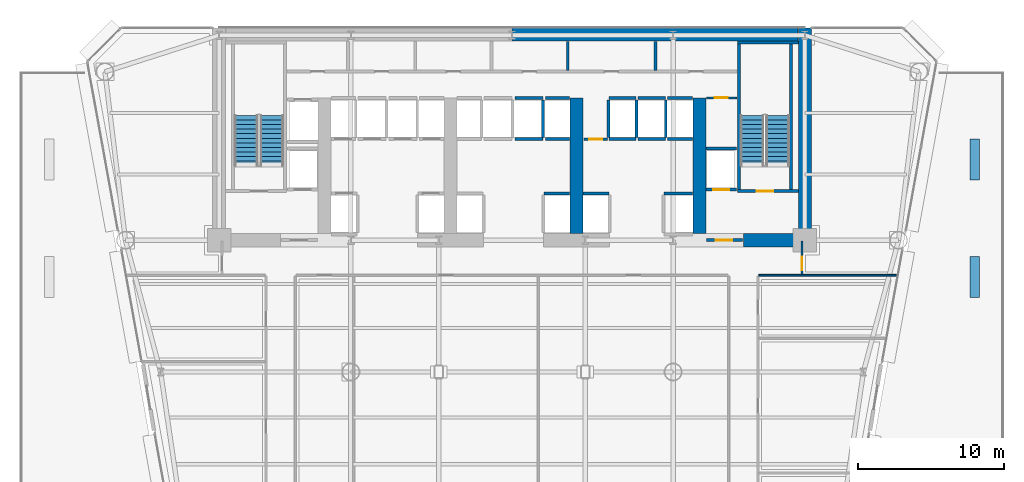
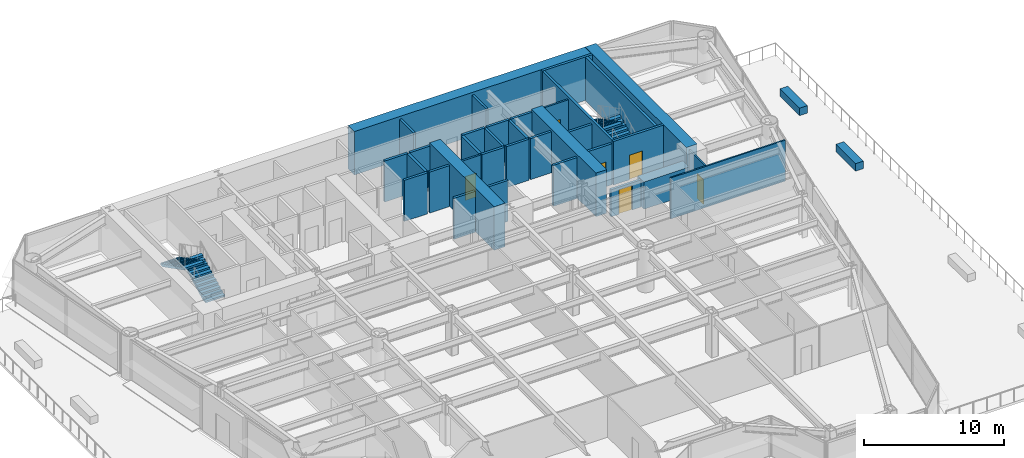
# One storey, part 10 of 14: 37 walls, 6 doors, 4 stair flights, 6 openings, 2 elements without a shape of their own.
"""IFC4 building model written with IfcOpenShell, lengths in metres."""

from ifc_helpers import new_model, si_unit, direction, frame, frame_2d, origin, place, context, subcontext, project, spatial, polyline, rectangle, outline, extrude, source, transform, mapped, material, layer, layer_set, type_object, element, fill, aggregate, save


model = new_model("IFC4")

# Units and contexts
model_context = context("Model", 3, precision=1e-05, world=origin(), true_north=direction((0.0, 1.0)))
body_context = subcontext(model_context, "Body", "Model", "MODEL_VIEW")
ifc_project = project(units=[si_unit("LENGTHUNIT", "METRE"), si_unit("AREAUNIT", "SQUARE_METRE"), si_unit("VOLUMEUNIT", "CUBIC_METRE"), si_unit("PLANEANGLEUNIT", "RADIAN"), si_unit("MASSUNIT", "GRAM", prefix="KILO")], contexts=[model_context])

# Site, building, storey
site_placement = place(None, origin())
site = spatial("IfcSite", under=ifc_project, at=site_placement, CompositionType="ELEMENT")
building_placement = place(site_placement, origin())
building = spatial("IfcBuilding", under=site, at=building_placement, Name="Vaeldorn Concourse Tower", CompositionType="ELEMENT")
storey_placement = place(building_placement, frame((0.0, 0.0, 18.800048828125)))
storey = spatial("IfcBuildingStorey", under=building, at=storey_placement, Name="L04", CompositionType="ELEMENT", Elevation=18.800048828125)

# Walls
ifc_material_1 = material(Name="Concrete C60/75", Category="concrete")
ifc_layer_1 = layer(ifc_material_1, 0.89990234375)
ifc_layer_set_1 = layer_set([ifc_layer_1], Name="Concrete C60/75")
wall_type_1 = type_object("IfcWallType", Name="WL-CORE-900", PredefinedType="SHEAR", material=ifc_layer_set_1)
wall_1_placement = place(storey_placement, frame((34.001953125, 50.550048828125, 0.0), z_axis=(0.0, 0.0, 1.0), x_axis=(1.0, 0.0, 0.0)))
element("IfcWall", 1, at=wall_1_placement, inside=storey, type_object=wall_type_1, Name="Rear Core Shear Wall L04 N2", PredefinedType="SHEAR", context=body_context, shape_type="SweptSolid", body=[
    extrude(rectangle(XDim=19.5439453125, YDim=0.89990234375, at=frame_2d((9.77197265625, 0.0))), origin(), (0.0, 0.0, 1.0), 3.800048828125),
])
wall_2_placement = place(storey_placement, frame((54.0, 36.5, 0.0), z_axis=(0.0, 0.0, 1.0), x_axis=(0.0, 1.0, 0.0)))
element("IfcWall", 2, at=wall_2_placement, inside=storey, type_object=wall_type_1, Name="Rear Core Shear Wall L04 E1", PredefinedType="SHEAR", context=body_context, shape_type="SweptSolid", body=[
    extrude(rectangle(XDim=14.5, YDim=0.89990234375, at=frame_2d((7.25, 0.0))), origin(), (0.0, 0.0, 1.0), 3.800048828125),
])
wall_3_placement = place(storey_placement, frame((49.800048828125, 36.5, 0.0), z_axis=(0.0, 0.0, 1.0), x_axis=(1.0, 0.0, 0.0)))
element("IfcWall", 3, at=wall_3_placement, inside=storey, type_object=wall_type_1, Name="Rear Core Shear Wall L04 S4", PredefinedType="SHEAR", context=body_context, shape_type="SweptSolid", body=[
    extrude(rectangle(XDim=3.72998046875, YDim=0.89990234375, at=frame_2d((1.864990234375, 0.0))), origin(), (0.0, 0.0, 1.0), 2.3798828125),
])
for number, where, z_axis, x_axis, name in (
    (4, (38.39990234375, 36.969970703125, 0.0), (0.0, 0.0, 1.0), (0.0, 1.0, 0.0), "Rear Core Shear Wall L04 M3"),
    (5, (46.800048828125, 36.969970703125, 0.0), (0.0, 0.0, 1.0), (0.0, 1.0, 0.0), "Rear Core Shear Wall L04 M4"),
):
    element("IfcWall", number, at=place(storey_placement, frame(where, z_axis=z_axis, x_axis=x_axis)), inside=storey, type_object=wall_type_1, Name=name, PredefinedType="SHEAR", context=body_context, shape_type="SweptSolid", body=[
        extrude(rectangle(XDim=9.22998046875, YDim=0.89990234375, at=frame_2d((4.614990234375, 0.0))), origin(), (0.0, 0.0, 1.0), 3.800048828125),
    ])
ifc_material_2 = material(Name="Gypsum Board Partition", Category="gypsum")
ifc_layer_2 = layer(ifc_material_2, 0.1201171875)
ifc_layer_set_2 = layer_set([ifc_layer_2], Name="Gypsum Board Partition")
wall_type_2 = type_object("IfcWallType", Name="WL-PART-120", PredefinedType="PARTITIONING", material=ifc_layer_set_2)
wall_4_placement = place(storey_placement, frame((50.860107421875, 34.10009765625, 0.0), z_axis=(0.0, 0.0, 1.0), x_axis=(1.0, 0.0, 0.0)))
element("IfcWall", 6, at=wall_4_placement, inside=storey, type_object=wall_type_2, Name="Interior Wall PW-L04-CEWE", PredefinedType="PARTITIONING", context=body_context, shape_type="SweptSolid", body=[
    extrude(rectangle(XDim=9.4521484375, YDim=0.1201171875, at=frame_2d((4.72607421875, 0.0))), origin(), (0.0, 0.0, 1.0), 3.579833984375),
])

# Wall, opening, door
wall_5_placement = place(storey_placement, frame((53.800048828125, 34.159912109375, 0.0), z_axis=(0.0, 0.0, 1.0), x_axis=(0.0, 1.0, 0.0)))
wall_5 = element("IfcWall", 7, at=wall_5_placement, inside=storey, type_object=wall_type_2, Name="Interior Wall PW-L04-CEET", PredefinedType="PARTITIONING", context=body_context, shape_type="SweptSolid", body=[
    extrude(rectangle(XDim=2.280029296875, YDim=0.1201171875, at=frame_2d((1.14013671875, 0.0))), origin(), (0.0, 0.0, 1.0), 3.579833984375),
])
opening_1_placement = place(wall_5_placement, frame((0.300048828125, 0.0, 0.0)))
opening_1 = element("IfcOpeningElement", 8, at=opening_1_placement, cuts=wall_5, Name="Opening D-03", PredefinedType="OPENING", context=body_context, shape_type="SweptSolid", body=[
    extrude(rectangle(XDim=0.89990234375, YDim=2.14990234375, at=frame_2d((0.449951171875, 1.074951171875))), frame((0.0, 0.070068359375, 0.0), z_axis=(0.0, -1.0, 0.0), x_axis=(1.0, 0.0, 0.0)), (0.0, 0.0, 1.0), 0.14013671875),
])
ifc_material_3 = material(Name="Acoustic Bronze-Framed Glass Door", Category="glass")
door_type_1 = type_object("IfcDoorType", Name="DR-INT-900", OperationType="NOTDEFINED", PredefinedType="DOOR", material=ifc_material_3)
shared_shape_1 = source(origin(), body_context, "Body", "SweptSolid", [
    extrude(rectangle(XDim=0.89990234375, YDim=2.14990234375, at=frame_2d((0.449951171875, 1.074951171875))), frame((0.0, 0.02490234375, 0.0), z_axis=(0.0, -1.0, 0.0), x_axis=(1.0, 0.0, 0.0)), (0.0, 0.0, 1.0), 0.050048828125),
])
door_1_placement = place(opening_1_placement, origin())
door_1 = element("IfcDoor", 9, at=door_1_placement, inside=storey, type_object=door_type_1, Name="Interior Door DR-L04-NE1", OperationType="SINGLE_SWING_RIGHT", OverallHeight=2.14990234375, OverallWidth=0.89990234375, PredefinedType="DOOR", context=body_context, shape_type="MappedRepresentation", body=[
    mapped(shared_shape_1, transform((0.0, 0.0, 0.0), scale=1.0)),
])
fill(opening_1, door_1)

ifc_layer_3 = layer(ifc_material_2, 0.14990234375)
ifc_layer_set_3 = layer_set([ifc_layer_3], Name="Gypsum Board Partition")
wall_type_3 = type_object("IfcWallType", Name="WL-PART-150", PredefinedType="PARTITIONING", material=ifc_layer_set_3)
wall_6_placement = place(storey_placement, frame((47.280029296875, 46.219970703125, 0.0), z_axis=(0.0, 0.0, 1.0), x_axis=(1.0, 0.0, 0.0)))
wall_6 = element("IfcWall", 10, at=wall_6_placement, inside=storey, type_object=wall_type_3, Name="Interior Wall CW-L04-CRSE-N", PredefinedType="PARTITIONING", context=body_context, shape_type="SweptSolid", body=[
    extrude(rectangle(XDim=2.099853515625, YDim=0.14990234375, at=frame_2d((1.0498046875, 0.0))), origin(), (0.0, 0.0, 1.0), 3.579833984375),
])
opening_2_placement = place(wall_6_placement, frame((0.550048828125, 0.0, 0.0)))
opening_2 = element("IfcOpeningElement", 11, at=opening_2_placement, cuts=wall_6, Name="Opening D-02", PredefinedType="OPENING", context=body_context, shape_type="SweptSolid", body=[
    extrude(rectangle(XDim=0.89990234375, YDim=2.10009765625, at=frame_2d((0.449951171875, 1.050048828125))), frame((0.0, 0.0849609375, 0.0), z_axis=(0.0, -1.0, 0.0), x_axis=(1.0, 0.0, 0.0)), (0.0, 0.0, 1.0), 0.169921875),
])
ifc_material_4 = material(Name="Fire-Rated Timber Leaf", Category="wood")
door_type_2 = type_object("IfcDoorType", Name="DR-FD30-900", OperationType="NOTDEFINED", PredefinedType="DOOR", material=ifc_material_4)
shared_shape_2 = source(origin(), body_context, "Body", "SweptSolid", [
    extrude(rectangle(XDim=0.89990234375, YDim=2.10009765625, at=frame_2d((0.449951171875, 1.050048828125))), frame((0.0, 0.02490234375, 0.0), z_axis=(0.0, -1.0, 0.0), x_axis=(1.0, 0.0, 0.0)), (0.0, 0.0, 1.0), 0.050048828125),
])
door_2_placement = place(opening_2_placement, origin())
door_2 = element("IfcDoor", 12, at=door_2_placement, inside=storey, type_object=door_type_2, Name="Interior Door DR-L04-CRSE", OperationType="SINGLE_SWING_RIGHT", OverallHeight=2.10009765625, OverallWidth=0.89990234375, PredefinedType="DOOR", context=body_context, shape_type="MappedRepresentation", body=[
    mapped(shared_shape_2, transform((0.0, 0.0, 0.0), scale=1.0)),
])
fill(opening_2, door_2)

wall_7_placement = place(storey_placement, frame((38.919921875, 43.39990234375, 0.0), z_axis=(0.0, 0.0, 1.0), x_axis=(1.0, 0.0, 0.0)))
wall_7 = element("IfcWall", 13, at=wall_7_placement, inside=storey, type_object=wall_type_3, Name="Interior Wall CW-L04-CCLINK", PredefinedType="PARTITIONING", context=body_context, shape_type="SweptSolid", body=[
    extrude(rectangle(XDim=1.60009765625, YDim=0.14990234375, at=frame_2d((0.800048828125, 0.0))), origin(), (0.0, 0.0, 1.0), 3.579833984375),
])
opening_3_placement = place(wall_7_placement, frame((0.35009765625, 0.0, 0.0)))
opening_3 = element("IfcOpeningElement", 14, at=opening_3_placement, cuts=wall_7, Name="Opening D-02", PredefinedType="OPENING", context=body_context, shape_type="SweptSolid", body=[
    extrude(rectangle(XDim=0.89990234375, YDim=2.10009765625, at=frame_2d((0.449951171875, 1.050048828125))), frame((0.0, 0.0849609375, 0.0), z_axis=(0.0, -1.0, 0.0), x_axis=(1.0, 0.0, 0.0)), (0.0, 0.0, 1.0), 0.169921875),
])
door_3_placement = place(opening_3_placement, origin())
door_3 = element("IfcDoor", 15, at=door_3_placement, inside=storey, type_object=door_type_2, Name="Interior Door DR-L04-CCLINK", OperationType="SINGLE_SWING_LEFT", OverallHeight=2.10009765625, OverallWidth=0.89990234375, PredefinedType="DOOR", context=body_context, shape_type="MappedRepresentation", body=[
    mapped(shared_shape_2, transform((0.0, 0.0, 0.0), scale=1.0)),
])
fill(opening_3, door_3)

# Walls
ifc_material_5 = material(Name="Anodised Bronze Aluminium", Category="aluminium")
ifc_layer_4 = layer(ifc_material_5, 0.64990234375)
ifc_layer_set_4 = layer_set([ifc_layer_4], Name="Anodised Bronze Aluminium")
wall_type_4 = type_object("IfcWallType", Name="WL-PLANTER-BRONZE", PredefinedType="PARAPET", material=ifc_layer_set_4)
for number, where, z_axis, x_axis, name in (
    (16, (65.60009765625, 32.60009765625, 0.0), (0.0, 0.0, 1.0), (0.0, 1.0, 0.0), "Sky Garden Bronze Planter Box L04-E34"),
    (17, (65.60009765625, 40.60009765625, 0.0), (0.0, 0.0, 1.0), (0.0, 1.0, 0.0), "Sky Garden Bronze Planter Box L04-E42"),
):
    element("IfcWall", number, at=place(storey_placement, frame(where, z_axis=z_axis, x_axis=x_axis)), inside=storey, type_object=wall_type_4, Name=name, PredefinedType="PARAPET", context=body_context, shape_type="SweptSolid", body=[
        extrude(rectangle(XDim=2.7998046875, YDim=0.64990234375, at=frame_2d((1.39990234375, 0.0))), origin(), (0.0, 0.0, 1.0), 0.64990234375),
    ])
ifc_layer_5 = layer(ifc_material_2, 0.179931640625)
ifc_layer_set_5 = layer_set([ifc_layer_5], Name="Gypsum Board Partition")
wall_type_5 = type_object("IfcWallType", Name="WL-PLUMB-180", PredefinedType="PLUMBINGWALL", material=ifc_layer_set_5)
for number, where, z_axis, x_axis, name in (
    (18, (37.800048828125, 48.10009765625, 0.0), (0.0, 0.0, 1.0), (0.0, 1.0, 0.0), "Interior Wall CW-L04-NDIV4"),
    (19, (43.800048828125, 48.10009765625, 0.0), (0.0, 0.0, 1.0), (0.0, 1.0, 0.0), "Interior Wall CW-L04-NDIV5"),
):
    element("IfcWall", number, at=place(storey_placement, frame(where, z_axis=z_axis, x_axis=x_axis)), inside=storey, type_object=wall_type_5, Name=name, PredefinedType="PLUMBINGWALL", context=body_context, shape_type="SweptSolid", body=[
        extrude(rectangle(XDim=1.97998046875, YDim=0.179931640625, at=frame_2d((0.989990234375, 0.0))), origin(), (0.0, 0.0, 1.0), 3.579833984375),
    ])

# Wall, opening, door
ifc_material_6 = material(Name="Concrete C50/60", Category="concrete")
ifc_layer_6 = layer(ifc_material_6, 0.199951171875)
ifc_layer_set_6 = layer_set([ifc_layer_6], Name="Concrete C50/60")
wall_type_6 = type_object("IfcWallType", Name="WL-SHAFT-200", PredefinedType="SOLIDWALL", material=ifc_layer_set_6)
wall_8_placement = place(storey_placement, frame((49.39990234375, 39.85009765625, 0.0), z_axis=(0.0, 0.0, 1.0), x_axis=(1.0, 0.0, 0.0)))
wall_8 = element("IfcWall", 20, at=wall_8_placement, inside=storey, type_object=wall_type_6, Name="Stair Shaft Wall CW-L04-ST-2-S", PredefinedType="SOLIDWALL", context=body_context, shape_type="SweptSolid", body=[
    extrude(rectangle(XDim=4.150146484375, YDim=0.199951171875, at=frame_2d((2.0751953125, 0.0))), origin(), (0.0, 0.0, 1.0), 3.800048828125),
])
opening_4_placement = place(wall_8_placement, frame((1.324951171875, 0.0, 0.0)))
opening_4 = element("IfcOpeningElement", 21, at=opening_4_placement, cuts=wall_8, Name="Opening D-01", PredefinedType="OPENING", context=body_context, shape_type="SweptSolid", body=[
    extrude(rectangle(XDim=1.10009765625, YDim=2.14990234375, at=frame_2d((0.550048828125, 1.074951171875))), frame((0.0, 0.10986328125, 0.0), z_axis=(0.0, -1.0, 0.0), x_axis=(1.0, 0.0, 0.0)), (0.0, 0.0, 1.0), 0.219970703125),
])
ifc_material_7 = material(Name="Fire-Rated Timber and Steel Leaf", Category="steel")
door_type_3 = type_object("IfcDoorType", Name="DR-FD60-1100", OperationType="NOTDEFINED", PredefinedType="DOOR", material=ifc_material_7)
shared_shape_3 = source(origin(), body_context, "Body", "SweptSolid", [
    extrude(rectangle(XDim=1.10009765625, YDim=2.14990234375, at=frame_2d((0.550048828125, 1.074951171875))), frame((0.0, 0.02490234375, 0.0), z_axis=(0.0, -1.0, 0.0), x_axis=(1.0, 0.0, 0.0)), (0.0, 0.0, 1.0), 0.050048828125),
])
door_4_placement = place(opening_4_placement, origin())
door_4 = element("IfcDoor", 22, at=door_4_placement, inside=storey, type_object=door_type_3, Name="Interior Door DR-L04-ST-2", OperationType="SINGLE_SWING_RIGHT", OverallHeight=2.14990234375, OverallWidth=1.10009765625, PredefinedType="DOOR", context=body_context, shape_type="MappedRepresentation", body=[
    mapped(shared_shape_3, transform((0.0, 0.0, 0.0), scale=1.0)),
])
fill(opening_4, door_4)

# Walls
wall_9_placement = place(storey_placement, frame((49.39990234375, 50.0, 0.0), z_axis=(0.0, 0.0, 1.0), x_axis=(1.0, 0.0, 0.0)))
element("IfcWall", 23, at=wall_9_placement, inside=storey, type_object=wall_type_6, Name="Stair Shaft Wall CW-L04-ST-2-N", PredefinedType="SOLIDWALL", context=body_context, shape_type="SweptSolid", body=[
    extrude(rectangle(XDim=4.150146484375, YDim=0.199951171875, at=frame_2d((2.0751953125, 0.0))), origin(), (0.0, 0.0, 1.0), 3.800048828125),
])
for number, where, z_axis, x_axis, name in (
    (24, (49.5, 39.9599609375, 0.0), (0.0, 0.0, 1.0), (0.0, 1.0, 0.0), "Stair Shaft Wall CW-L04-ST-2-W"),
    (25, (53.050048828125, 39.9599609375, 0.0), (0.0, 0.0, 1.0), (0.0, 1.0, 0.0), "Stair Shaft Wall CW-L04-ST-2-E"),
):
    element("IfcWall", number, at=place(storey_placement, frame(where, z_axis=z_axis, x_axis=x_axis)), inside=storey, type_object=wall_type_6, Name=name, PredefinedType="SOLIDWALL", context=body_context, shape_type="SweptSolid", body=[
        extrude(rectangle(XDim=9.929931640625, YDim=0.199951171875, at=frame_2d((4.96484375, 0.0))), origin(), (0.0, 0.0, 1.0), 3.800048828125),
    ])

# Wall, opening, door
wall_10_placement = place(storey_placement, frame((47.280029296875, 36.5, 0.0), z_axis=(0.0, 0.0, 1.0), x_axis=(1.0, 0.0, 0.0)))
wall_10 = element("IfcWall", 26, at=wall_10_placement, inside=storey, type_object=wall_type_6, Name="Interior Wall CW-L04-FF2S", PredefinedType="SOLIDWALL", context=body_context, shape_type="SweptSolid", body=[
    extrude(rectangle(XDim=2.469970703125, YDim=0.199951171875, at=frame_2d((1.23486328125, 0.0))), origin(), (0.0, 0.0, 1.0), 2.369873046875),
])
opening_5_placement = place(wall_10_placement, frame((0.64990234375, 0.0, 0.0)))
opening_5 = element("IfcOpeningElement", 27, at=opening_5_placement, cuts=wall_10, Name="Opening D-01", PredefinedType="OPENING", context=body_context, shape_type="SweptSolid", body=[
    extrude(rectangle(XDim=1.10009765625, YDim=2.14990234375, at=frame_2d((0.550048828125, 1.074951171875))), frame((0.0, 0.10986328125, 0.0), z_axis=(0.0, -1.0, 0.0), x_axis=(1.0, 0.0, 0.0)), (0.0, 0.0, 1.0), 0.219970703125),
])
door_5_placement = place(opening_5_placement, origin())
door_5 = element("IfcDoor", 28, at=door_5_placement, inside=storey, type_object=door_type_3, Name="Interior Door DR-L04-FF2W", OperationType="SINGLE_SWING_LEFT", OverallHeight=2.14990234375, OverallWidth=1.10009765625, PredefinedType="DOOR", context=body_context, shape_type="MappedRepresentation", body=[
    mapped(shared_shape_3, transform((0.0, 0.0, 0.0), scale=1.0)),
])
fill(opening_5, door_5)

# Walls
wall_11_placement = place(storey_placement, frame((36.169921875, 39.699951171875, 0.0), z_axis=(0.0, 0.0, 1.0), x_axis=(1.0, 0.0, 0.0)))
element("IfcWall", 29, at=wall_11_placement, inside=storey, type_object=wall_type_6, Name="Interior Wall CW-L04-LF-LF-08", PredefinedType="SOLIDWALL", context=body_context, shape_type="SweptSolid", body=[
    extrude(rectangle(XDim=1.77001953125, YDim=0.199951171875, at=frame_2d((0.885009765625, 0.0))), origin(), (0.0, 0.0, 1.0), 3.579833984375),
])
for number, where, z_axis, x_axis, name in (
    (30, (34.18994140625, 43.39990234375, 0.0), (0.0, 0.0, 1.0), (1.0, 0.0, 0.0), "Interior Wall CW-L04-LF-LF-11"),
    (31, (34.18994140625, 46.199951171875, 0.0), (0.0, 0.0, 1.0), (1.0, 0.0, 0.0), "Interior Wall CW-L04-LFB-LF-11"),
):
    element("IfcWall", number, at=place(storey_placement, frame(where, z_axis=z_axis, x_axis=x_axis)), inside=storey, type_object=wall_type_6, Name=name, PredefinedType="SOLIDWALL", context=body_context, shape_type="SweptSolid", body=[
        extrude(rectangle(XDim=1.920166015625, YDim=0.199951171875, at=frame_2d((0.9599609375, 0.0))), origin(), (0.0, 0.0, 1.0), 3.579833984375),
    ])
wall_12_placement = place(storey_placement, frame((36.1298828125, 43.52001953125, 0.0), z_axis=(0.0, 0.0, 1.0), x_axis=(0.0, 1.0, 0.0)))
element("IfcWall", 32, at=wall_12_placement, inside=storey, type_object=wall_type_6, Name="Interior Wall CW-L04-LFE-LF-11", PredefinedType="SOLIDWALL", context=body_context, shape_type="SweptSolid", body=[
    extrude(rectangle(XDim=2.56005859375, YDim=0.199951171875, at=frame_2d((1.280029296875, 0.0))), origin(), (0.0, 0.0, 1.0), 3.579833984375),
])
for number, where, z_axis, x_axis, name in (
    (33, (36.2900390625, 43.39990234375, 0.0), (0.0, 0.0, 1.0), (1.0, 0.0, 0.0), "Interior Wall CW-L04-LF-LF-12"),
    (34, (36.2900390625, 46.199951171875, 0.0), (0.0, 0.0, 1.0), (1.0, 0.0, 0.0), "Interior Wall CW-L04-LFB-LF-12"),
):
    element("IfcWall", number, at=place(storey_placement, frame(where, z_axis=z_axis, x_axis=x_axis)), inside=storey, type_object=wall_type_6, Name=name, PredefinedType="SOLIDWALL", context=body_context, shape_type="SweptSolid", body=[
        extrude(rectangle(XDim=1.64990234375, YDim=0.199951171875, at=frame_2d((0.824951171875, 0.0))), origin(), (0.0, 0.0, 1.0), 3.579833984375),
    ])
wall_13_placement = place(storey_placement, frame((38.860107421875, 39.699951171875, 0.0), z_axis=(0.0, 0.0, 1.0), x_axis=(1.0, 0.0, 0.0)))
element("IfcWall", 35, at=wall_13_placement, inside=storey, type_object=wall_type_6, Name="Interior Wall CW-L04-LF-LF-13", PredefinedType="SOLIDWALL", context=body_context, shape_type="SweptSolid", body=[
    extrude(rectangle(XDim=1.769775390625, YDim=0.199951171875, at=frame_2d((0.884765625, 0.0))), origin(), (0.0, 0.0, 1.0), 3.579833984375),
])
wall_14_placement = place(storey_placement, frame((44.3701171875, 39.699951171875, 0.0), z_axis=(0.0, 0.0, 1.0), x_axis=(1.0, 0.0, 0.0)))
element("IfcWall", 36, at=wall_14_placement, inside=storey, type_object=wall_type_6, Name="Interior Wall CW-L04-LF-LF-14", PredefinedType="SOLIDWALL", context=body_context, shape_type="SweptSolid", body=[
    extrude(rectangle(XDim=1.9599609375, YDim=0.199951171875, at=frame_2d((0.97998046875, 0.0))), origin(), (0.0, 0.0, 1.0), 3.579833984375),
])
for number, where, z_axis, x_axis, name in (
    (37, (40.6201171875, 43.39990234375, 0.0), (0.0, 0.0, 1.0), (1.0, 0.0, 0.0), "Interior Wall CW-L04-LF-LF-15"),
    (38, (40.6201171875, 46.199951171875, 0.0), (0.0, 0.0, 1.0), (1.0, 0.0, 0.0), "Interior Wall CW-L04-LFB-LF-15"),
):
    element("IfcWall", number, at=place(storey_placement, frame(where, z_axis=z_axis, x_axis=x_axis)), inside=storey, type_object=wall_type_6, Name=name, PredefinedType="SOLIDWALL", context=body_context, shape_type="SweptSolid", body=[
        extrude(rectangle(XDim=1.85986328125, YDim=0.199951171875, at=frame_2d((0.929931640625, 0.0))), origin(), (0.0, 0.0, 1.0), 3.579833984375),
    ])
for number, where, z_axis, x_axis, name in (
    (39, (40.60009765625, 43.52001953125, 0.0), (0.0, 0.0, 1.0), (0.0, 1.0, 0.0), "Interior Wall CW-L04-LFW-LF-15"),
    (40, (42.5, 43.52001953125, 0.0), (0.0, 0.0, 1.0), (0.0, 1.0, 0.0), "Interior Wall CW-L04-LFE-LF-15"),
):
    element("IfcWall", number, at=place(storey_placement, frame(where, z_axis=z_axis, x_axis=x_axis)), inside=storey, type_object=wall_type_6, Name=name, PredefinedType="SOLIDWALL", context=body_context, shape_type="SweptSolid", body=[
        extrude(rectangle(XDim=2.56005859375, YDim=0.199951171875, at=frame_2d((1.280029296875, 0.0))), origin(), (0.0, 0.0, 1.0), 3.579833984375),
    ])
for number, where, z_axis, x_axis, name in (
    (41, (42.6201171875, 43.39990234375, 0.0), (0.0, 0.0, 1.0), (1.0, 0.0, 0.0), "Interior Wall CW-L04-LF-LF-16"),
    (42, (42.6201171875, 46.199951171875, 0.0), (0.0, 0.0, 1.0), (1.0, 0.0, 0.0), "Interior Wall CW-L04-LFB-LF-16"),
):
    element("IfcWall", number, at=place(storey_placement, frame(where, z_axis=z_axis, x_axis=x_axis)), inside=storey, type_object=wall_type_6, Name=name, PredefinedType="SOLIDWALL", context=body_context, shape_type="SweptSolid", body=[
        extrude(rectangle(XDim=1.85986328125, YDim=0.199951171875, at=frame_2d((0.929931640625, 0.0))), origin(), (0.0, 0.0, 1.0), 3.579833984375),
    ])
wall_15_placement = place(storey_placement, frame((44.5, 43.52001953125, 0.0), z_axis=(0.0, 0.0, 1.0), x_axis=(0.0, 1.0, 0.0)))
element("IfcWall", 43, at=wall_15_placement, inside=storey, type_object=wall_type_6, Name="Interior Wall CW-L04-LFE-LF-16", PredefinedType="SOLIDWALL", context=body_context, shape_type="SweptSolid", body=[
    extrude(rectangle(XDim=2.56005859375, YDim=0.199951171875, at=frame_2d((1.280029296875, 0.0))), origin(), (0.0, 0.0, 1.0), 3.579833984375),
])
for number, where, z_axis, x_axis, name in (
    (44, (44.6201171875, 43.39990234375, 0.0), (0.0, 0.0, 1.0), (1.0, 0.0, 0.0), "Interior Wall CW-L04-LF-LF-17"),
    (45, (44.6201171875, 46.199951171875, 0.0), (0.0, 0.0, 1.0), (1.0, 0.0, 0.0), "Interior Wall CW-L04-LFB-LF-17"),
):
    element("IfcWall", number, at=place(storey_placement, frame(where, z_axis=z_axis, x_axis=x_axis)), inside=storey, type_object=wall_type_6, Name=name, PredefinedType="SOLIDWALL", context=body_context, shape_type="SweptSolid", body=[
        extrude(rectangle(XDim=1.719970703125, YDim=0.199951171875, at=frame_2d((0.85986328125, 0.0))), origin(), (0.0, 0.0, 1.0), 3.579833984375),
    ])

# Wall, opening, door
wall_16_placement = place(storey_placement, frame((47.260009765625, 39.949951171875, 0.0), z_axis=(0.0, 0.0, 1.0), x_axis=(1.0, 0.0, 0.0)))
wall_16 = element("IfcWall", 46, at=wall_16_placement, inside=storey, type_object=wall_type_6, Name="Interior Wall CW-L04-LF-LF-FF2", PredefinedType="SOLIDWALL", context=body_context, shape_type="SweptSolid", body=[
    extrude(rectangle(XDim=2.070068359375, YDim=0.199951171875, at=frame_2d((1.03515625, 0.0))), origin(), (0.0, 0.0, 1.0), 3.579833984375),
])
opening_6_placement = place(wall_16_placement, frame((0.485107421875, 0.0, 0.0)))
opening_6 = element("IfcOpeningElement", 47, at=opening_6_placement, cuts=wall_16, Name="Opening LD-1", PredefinedType="OPENING", context=body_context, shape_type="SweptSolid", body=[
    extrude(rectangle(XDim=1.10009765625, YDim=2.14990234375, at=frame_2d((0.550048828125, 1.074951171875))), frame((0.0, 0.10986328125, 0.0), z_axis=(0.0, -1.0, 0.0), x_axis=(1.0, 0.0, 0.0)), (0.0, 0.0, 1.0), 0.219970703125),
])
door_type_4 = type_object("IfcDoorType", Name="DR-LIFT-SLIDE-1100", OperationType="DOUBLE_DOOR_SLIDING", PredefinedType="DOOR", material=ifc_material_5)
door_6_placement = place(opening_6_placement, origin())
door_6 = element("IfcDoor", 48, at=door_6_placement, inside=storey, type_object=door_type_4, Name="Lift Landing Door LD-L04-LF-FF2", OperationType="DOUBLE_DOOR_SLIDING", OverallHeight=2.14990234375, OverallWidth=1.10009765625, PredefinedType="DOOR", context=body_context, shape_type="MappedRepresentation", body=[
    mapped(shared_shape_3, transform((0.0, 0.0, 0.0), scale=1.0)),
])
fill(opening_6, door_6)

# Wall
wall_17_placement = place(storey_placement, frame((47.260009765625, 42.75, 0.0), z_axis=(0.0, 0.0, 1.0), x_axis=(1.0, 0.0, 0.0)))
element("IfcWall", 49, at=wall_17_placement, inside=storey, type_object=wall_type_6, Name="Interior Wall CW-L04-LFB-LF-FF2", PredefinedType="SOLIDWALL", context=body_context, shape_type="SweptSolid", body=[
    extrude(rectangle(XDim=2.070068359375, YDim=0.199951171875, at=frame_2d((1.03515625, 0.0))), origin(), (0.0, 0.0, 1.0), 3.579833984375),
])

# Stair, stair flights
ifc_material_8 = material(Name="Precast concrete C40/50", Category="concrete")
stair_type = type_object("IfcStairType", Name="STR-DOG-24x158", PredefinedType="HALF_TURN_STAIR", material=ifc_material_8)
stair_1_placement = place(storey_placement, origin())
stair_1 = element("IfcStair", 50, at=stair_1_placement, inside=storey, type_object=stair_type, Name="L04 West Core Exit Stair ST-1", PredefinedType="HALF_TURN_STAIR")
stair_flight_type = type_object("IfcStairFlightType", Name="STF-STR-12x158", PredefinedType="STRAIGHT", material=ifc_material_8)
stair_flight_1_placement = place(storey_placement, frame((17.60009765625, 41.60009765625, 0.0), z_axis=(0.0, 0.0, 1.0), x_axis=(0.0, 1.0, 0.0)))
stair_flight_1 = element("IfcStairFlight", 51, at=stair_flight_1_placement, type_object=stair_flight_type, Name="ST-1 flight 1", NumberOfRisers=12, NumberOfTreads=11, PredefinedType="STRAIGHT", RiserHeight=0.158333333, TreadLength=0.31, context=body_context, shape_type="SweptSolid", body=[
    extrude(outline(polyline([(0.0, 0.0), (0.0, 0.158447265625), (0.31005859375, 0.158447265625), (0.31005859375, 0.316650390625), (0.6201171875, 0.316650390625), (0.6201171875, 0.47509765625), (0.929931640625, 0.47509765625), (0.929931640625, 0.63330078125), (1.239990234375, 0.63330078125), (1.239990234375, 0.791748046875), (1.550048828125, 0.791748046875), (1.550048828125, 0.949951171875), (1.860107421875, 0.949951171875), (1.860107421875, 1.1083984375), (2.169921875, 1.1083984375), (2.169921875, 1.2666015625), (2.47998046875, 1.2666015625), (2.47998046875, 1.425048828125), (2.7900390625, 1.425048828125), (2.7900390625, 1.583251953125), (3.10009765625, 1.583251953125), (3.10009765625, 1.74169921875), (3.409912109375, 1.74169921875), (3.409912109375, 1.89990234375), (3.409912109375, 1.5732421875), (0.32958984375, 0.0), (0.0, 0.0)])), frame((0.0, 0.800048828125, 0.0), z_axis=(0.0, -1.0, 0.0), x_axis=(1.0, 0.0, 0.0)), (0.0, 0.0, 1.0), 1.60009765625),
])
stair_flight_2_placement = place(storey_placement, frame((15.85009765625, 45.010009765625, 1.89990234375), z_axis=(0.0, 0.0, 1.0), x_axis=(0.0, -1.0, 0.0)))
stair_flight_2 = element("IfcStairFlight", 52, at=stair_flight_2_placement, type_object=stair_flight_type, Name="ST-1 flight 2", NumberOfRisers=12, NumberOfTreads=11, PredefinedType="STRAIGHT", RiserHeight=0.158333333, TreadLength=0.31, context=body_context, shape_type="SweptSolid", body=[
    extrude(outline(polyline([(0.0, 0.0), (0.0, 0.158447265625), (0.31005859375, 0.158447265625), (0.31005859375, 0.316650390625), (0.6201171875, 0.316650390625), (0.6201171875, 0.47509765625), (0.929931640625, 0.47509765625), (0.929931640625, 0.63330078125), (1.239990234375, 0.63330078125), (1.239990234375, 0.791748046875), (1.550048828125, 0.791748046875), (1.550048828125, 0.949951171875), (1.860107421875, 0.949951171875), (1.860107421875, 1.1083984375), (2.169921875, 1.1083984375), (2.169921875, 1.2666015625), (2.47998046875, 1.2666015625), (2.47998046875, 1.425048828125), (2.7900390625, 1.425048828125), (2.7900390625, 1.583251953125), (3.10009765625, 1.583251953125), (3.10009765625, 1.74169921875), (3.409912109375, 1.74169921875), (3.409912109375, 1.89990234375), (3.409912109375, 1.5732421875), (0.32958984375, 0.0), (0.0, 0.0)])), frame((0.0, 0.800048828125, 0.0), z_axis=(0.0, -1.0, 0.0), x_axis=(1.0, 0.0, 0.0)), (0.0, 0.0, 1.0), 1.60009765625),
])
aggregate(stair_1, [stair_flight_1, stair_flight_2])

stair_2_placement = place(storey_placement, origin())
stair_2 = element("IfcStair", 53, at=stair_2_placement, inside=storey, type_object=stair_type, Name="L04 East Core Exit Stair ST-2", PredefinedType="HALF_TURN_STAIR")
stair_flight_3_placement = place(storey_placement, frame((52.14990234375, 41.60009765625, 0.0), z_axis=(0.0, 0.0, 1.0), x_axis=(0.0, 1.0, 0.0)))
stair_flight_3 = element("IfcStairFlight", 54, at=stair_flight_3_placement, type_object=stair_flight_type, Name="ST-2 flight 1", NumberOfRisers=12, NumberOfTreads=11, PredefinedType="STRAIGHT", RiserHeight=0.158333333, TreadLength=0.31, context=body_context, shape_type="SweptSolid", body=[
    extrude(outline(polyline([(0.0, 0.0), (0.0, 0.158447265625), (0.31005859375, 0.158447265625), (0.31005859375, 0.316650390625), (0.6201171875, 0.316650390625), (0.6201171875, 0.47509765625), (0.929931640625, 0.47509765625), (0.929931640625, 0.63330078125), (1.239990234375, 0.63330078125), (1.239990234375, 0.791748046875), (1.550048828125, 0.791748046875), (1.550048828125, 0.949951171875), (1.860107421875, 0.949951171875), (1.860107421875, 1.1083984375), (2.169921875, 1.1083984375), (2.169921875, 1.2666015625), (2.47998046875, 1.2666015625), (2.47998046875, 1.425048828125), (2.7900390625, 1.425048828125), (2.7900390625, 1.583251953125), (3.10009765625, 1.583251953125), (3.10009765625, 1.74169921875), (3.409912109375, 1.74169921875), (3.409912109375, 1.89990234375), (3.409912109375, 1.5732421875), (0.32958984375, 0.0), (0.0, 0.0)])), frame((0.0, 0.800048828125, 0.0), z_axis=(0.0, -1.0, 0.0), x_axis=(1.0, 0.0, 0.0)), (0.0, 0.0, 1.0), 1.60009765625),
])
stair_flight_4_placement = place(storey_placement, frame((50.39990234375, 45.010009765625, 1.89990234375), z_axis=(0.0, 0.0, 1.0), x_axis=(0.0, -1.0, 0.0)))
stair_flight_4 = element("IfcStairFlight", 55, at=stair_flight_4_placement, type_object=stair_flight_type, Name="ST-2 flight 2", NumberOfRisers=12, NumberOfTreads=11, PredefinedType="STRAIGHT", RiserHeight=0.158333333, TreadLength=0.31, context=body_context, shape_type="SweptSolid", body=[
    extrude(outline(polyline([(0.0, 0.0), (0.0, 0.158447265625), (0.31005859375, 0.158447265625), (0.31005859375, 0.316650390625), (0.6201171875, 0.316650390625), (0.6201171875, 0.47509765625), (0.929931640625, 0.47509765625), (0.929931640625, 0.63330078125), (1.239990234375, 0.63330078125), (1.239990234375, 0.791748046875), (1.550048828125, 0.791748046875), (1.550048828125, 0.949951171875), (1.860107421875, 0.949951171875), (1.860107421875, 1.1083984375), (2.169921875, 1.1083984375), (2.169921875, 1.2666015625), (2.47998046875, 1.2666015625), (2.47998046875, 1.425048828125), (2.7900390625, 1.425048828125), (2.7900390625, 1.583251953125), (3.10009765625, 1.583251953125), (3.10009765625, 1.74169921875), (3.409912109375, 1.74169921875), (3.409912109375, 1.89990234375), (3.409912109375, 1.5732421875), (0.32958984375, 0.0), (0.0, 0.0)])), frame((0.0, 0.800048828125, 0.0), z_axis=(0.0, -1.0, 0.0), x_axis=(1.0, 0.0, 0.0)), (0.0, 0.0, 1.0), 1.60009765625),
])
aggregate(stair_2, [stair_flight_3, stair_flight_4])

save(model, "model.ifc")
